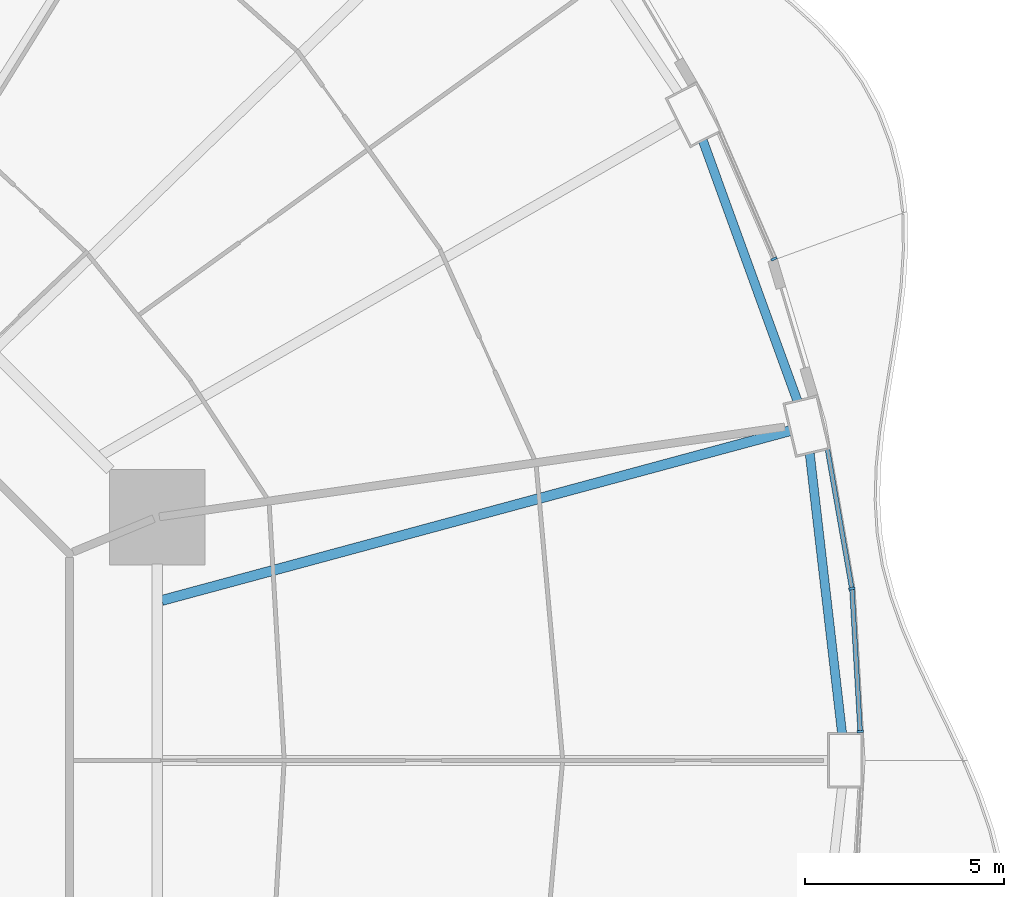
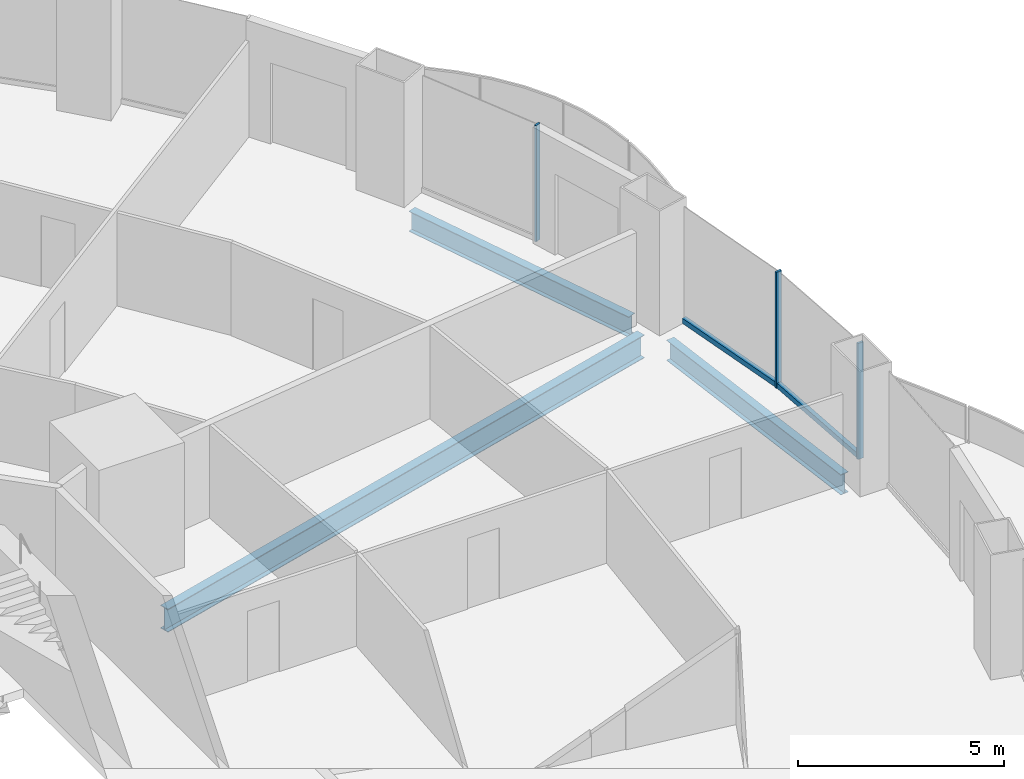
# One storey, part 8 of 21: 5 members, 3 beams, 3 elements without a shape of their own.
"""IFC4 building model written with IfcOpenShell, lengths in metres."""

from ifc_helpers import new_model, si_unit, direction, frame, origin, origin_2d, place, context, subcontext, project, spatial, rectangle, i_section, extrude, material, layer, layer_set, material_profile, profile_set, type_object, element, aggregate, save


model = new_model("IFC4")

# Units and contexts
model_context = context("Model", 3, precision=1e-05, world=origin(), true_north=direction((0.0, 1.0)))
body_context = subcontext(model_context, "Body", "Model", "MODEL_VIEW")
ifc_project = project(units=[si_unit("LENGTHUNIT", "METRE"), si_unit("AREAUNIT", "SQUARE_METRE"), si_unit("VOLUMEUNIT", "CUBIC_METRE"), si_unit("PLANEANGLEUNIT", "RADIAN"), si_unit("MASSUNIT", "GRAM", prefix="KILO")], contexts=[model_context])

# Site, building, storey
site_placement = place(None, origin())
site = spatial("IfcSite", under=ifc_project, at=site_placement, CompositionType="ELEMENT")
building_placement = place(site_placement, origin())
building = spatial("IfcBuilding", under=site, at=building_placement, Name="Nagisa Residences", CompositionType="ELEMENT")
storey_placement = place(building_placement, frame((0.0, 0.0, 60.300048828125)))
storey = spatial("IfcBuildingStorey", under=building, at=storey_placement, Name="L14", CompositionType="ELEMENT", Elevation=60.300048828125)

# Curtain wall, member
ifc_material_1 = material(Name="Concrete-coloured aluminium curtain wall system", Category="concrete")
ifc_layer = layer(ifc_material_1, 0.159912109375)
ifc_layer_set = layer_set([ifc_layer], Name="CW1 CURTAIN WALL")
curtain_wall_type = type_object("IfcCurtainWallType", Name="CW1 CURTAIN WALL", PredefinedType="NOTDEFINED", material=ifc_layer_set)
curtain_wall_1_placement = place(storey_placement, origin())
curtain_wall_1 = element("IfcCurtainWall", 1, at=curtain_wall_1_placement, inside=storey, type_object=curtain_wall_type, Name="cw:CW1:L14:00", PredefinedType="NOTDEFINED")
ifc_material_2 = material(Name="Concrete-coloured aluminium", Category="concrete")
ifc_material_profile_1 = material_profile(ifc_material_2, rectangle(XDim=0.159912109375, YDim=0.06005859375, at=origin_2d()), Name="CW1 MULLION 160x60")
ifc_profile_set_1 = profile_set([ifc_material_profile_1], Name="Concrete-coloured aluminium")
member_type_1 = type_object("IfcMemberType", Name="CW1 MULLION 160x60", PredefinedType="MULLION", material=ifc_profile_set_1)
member_1_placement = place(storey_placement, frame((32.478271484375, 0.72412109375, 0.0), z_axis=(0.0, 0.0, 1.0), x_axis=(-0.998345305184, -0.057503492216, 0.0)))
member_1 = element("IfcMember", 2, at=member_1_placement, type_object=member_type_1, Name="CW1 mullion", PredefinedType="MULLION", context=body_context, shape_type="SweptSolid", body=[
    extrude(rectangle(XDim=0.159912109375, YDim=0.06005859375, at=origin_2d()), origin(), (0.0, 0.0, 1.0), 3.43994140625),
])

curtain_wall_2_placement = place(storey_placement, origin())
curtain_wall_2 = element("IfcCurtainWall", 3, at=curtain_wall_2_placement, inside=storey, type_object=curtain_wall_type, Name="cw:CW1:L14:01", PredefinedType="NOTDEFINED")
member_2_placement = place(storey_placement, frame((32.267822265625, 4.3232421875, 0.0), z_axis=(0.0, 0.0, 1.0), x_axis=(-0.985063604377, -0.172190868898, 0.0)))
member_2 = element("IfcMember", 4, at=member_2_placement, type_object=member_type_1, Name="CW1 mullion", PredefinedType="MULLION", context=body_context, shape_type="SweptSolid", body=[
    extrude(rectangle(XDim=0.159912109375, YDim=0.06005859375, at=origin_2d()), origin(), (0.0, 0.0, 1.0), 3.43994140625),
])

curtain_wall_3_placement = place(storey_placement, origin())
curtain_wall_3 = element("IfcCurtainWall", 5, at=curtain_wall_3_placement, inside=storey, type_object=curtain_wall_type, Name="cw:CW1:L14:03", PredefinedType="NOTDEFINED")
member_3_placement = place(storey_placement, frame((30.30712890625, 12.624267578125, 0.0), z_axis=(0.0, 0.0, 1.0), x_axis=(-0.917543276295, -0.397635934147, 0.0)))
member_3 = element("IfcMember", 6, at=member_3_placement, type_object=member_type_1, Name="CW1 mullion", PredefinedType="MULLION", context=body_context, shape_type="SweptSolid", body=[
    extrude(rectangle(XDim=0.159912109375, YDim=0.06005859375, at=origin_2d()), origin(), (0.0, 0.0, 1.0), 3.43994140625),
])
aggregate(curtain_wall_3, [member_3])

# Member
ifc_material_3 = material(Name="Concrete-coloured aluminium", Category="concrete")
ifc_material_profile_2 = material_profile(ifc_material_3, rectangle(XDim=0.1201171875, YDim=0.14990234375, at=origin_2d()), Name="CW1 TRANSOM 120x150")
ifc_profile_set_2 = profile_set([ifc_material_profile_2], Name="Concrete-coloured aluminium")
member_type_2 = type_object("IfcMemberType", Name="CW1 TRANSOM 120x150", PredefinedType="USERDEFINED", material=ifc_profile_set_2)
member_4_placement = place(storey_placement, frame((32.47998046875, 0.6943359375, 0.074951171875), z_axis=(-0.057549926952, 0.998342629515, 0.0), x_axis=(-0.998342629515, -0.057549926952, 0.0)))
member_4 = element("IfcMember", 7, at=member_4_placement, type_object=member_type_2, Name="CW1 transom", ObjectType="TRANSOM", PredefinedType="USERDEFINED", context=body_context, shape_type="SweptSolid", body=[
    extrude(rectangle(XDim=0.1201171875, YDim=0.14990234375, at=origin_2d()), origin(), (0.0, 0.0, 1.0), 3.614501953125),
])

aggregate(curtain_wall_1, [member_1, member_4])

member_5_placement = place(storey_placement, frame((32.273193359375, 4.293701171875, 0.074951171875), z_axis=(-0.172228889385, 0.985056957572, 0.0), x_axis=(-0.985056957572, -0.172228889385, 0.0)))
member_5 = element("IfcMember", 8, at=member_5_placement, type_object=member_type_2, Name="CW1 transom", ObjectType="TRANSOM", PredefinedType="USERDEFINED", context=body_context, shape_type="SweptSolid", body=[
    extrude(rectangle(XDim=0.1201171875, YDim=0.14990234375, at=origin_2d()), origin(), (0.0, 0.0, 1.0), 3.59765625),
])

aggregate(curtain_wall_2, [member_2, member_5])

# Beams
ifc_material_4 = material(Name="Steel ASTM A572 Gr 50", Category="steel")
ifc_material_profile_3 = material_profile(ifc_material_4, i_section(OverallWidth=0.22802734375, OverallDepth=0.60302734375, WebThickness=0.010498046875, FlangeThickness=0.014892578125, at=origin_2d()), Name="W610x101")
ifc_profile_set_3 = profile_set([ifc_material_profile_3], Name="Steel ASTM A572 Gr 50")
beam_type_1 = type_object("IfcBeamType", Name="Perimeter ring beam W610x101", PredefinedType="BEAM", material=ifc_profile_set_3)
beam_1_placement = place(storey_placement, frame((32.021484375, 0.68017578125, -0.5615234375), z_axis=(-0.114673717321, 0.993403210462, 0.0), x_axis=(-0.993403210462, -0.114673717321, 0.0)))
element("IfcBeam", 9, at=beam_1_placement, inside=storey, type_object=beam_type_1, Name="beam:L14:pb01", PredefinedType="BEAM", context=body_context, shape_type="SweptSolid", body=[
    extrude(i_section(OverallWidth=0.22802734375, OverallDepth=0.60302734375, WebThickness=0.010498046875, FlangeThickness=0.014892578125, at=origin_2d()), origin(), (0.0, 0.0, 1.0), 7.09814453125),
])
beam_2_placement = place(storey_placement, frame((30.89501953125, 9.055419921875, -0.5615234375), z_axis=(-0.341411143183, 0.939914055279, 0.0), x_axis=(-0.939914055279, -0.341411143183, 0.0)))
element("IfcBeam", 10, at=beam_2_placement, inside=storey, type_object=beam_type_1, Name="beam:L14:pb02", PredefinedType="BEAM", context=body_context, shape_type="SweptSolid", body=[
    extrude(i_section(OverallWidth=0.22802734375, OverallDepth=0.60302734375, WebThickness=0.010498046875, FlangeThickness=0.014892578125, at=origin_2d()), origin(), (0.0, 0.0, 1.0), 6.96923828125),
])
ifc_material_5 = material(Name="Steel ASTM A572 Gr 50", Category="steel")
ifc_material_profile_4 = material_profile(ifc_material_5, i_section(OverallWidth=0.25390625, OverallDepth=0.68408203125, WebThickness=0.012451171875, FlangeThickness=0.018798828125, at=origin_2d()), Name="W690x140")
ifc_profile_set_4 = profile_set([ifc_material_profile_4], Name="Steel ASTM A572 Gr 50")
beam_type_2 = type_object("IfcBeamType", Name="Radial beam W690x140", PredefinedType="BEAM", material=ifc_profile_set_4)
beam_3_placement = place(storey_placement, frame((30.713623046875, 8.29931640625, -0.60205078125), z_axis=(-0.965375968847, -0.260862490162, 0.0), x_axis=(0.260862490162, -0.965375968847, 0.0)))
element("IfcBeam", 11, at=beam_3_placement, inside=storey, type_object=beam_type_2, Name="beam:L14:rb02", PredefinedType="BEAM", context=body_context, shape_type="SweptSolid", body=[
    extrude(i_section(OverallWidth=0.25390625, OverallDepth=0.68408203125, WebThickness=0.012451171875, FlangeThickness=0.018798828125, at=origin_2d()), origin(), (0.0, 0.0, 1.0), 16.3857421875),
])

save(model, "model.ifc")
